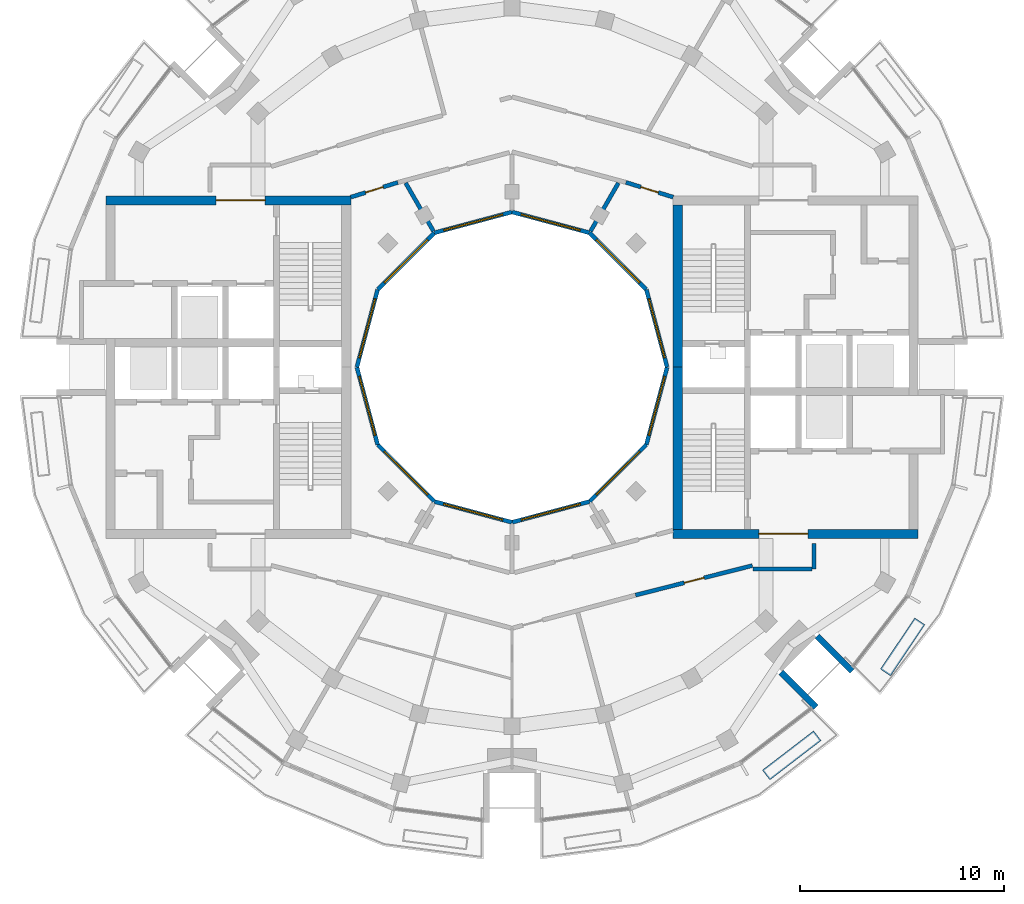
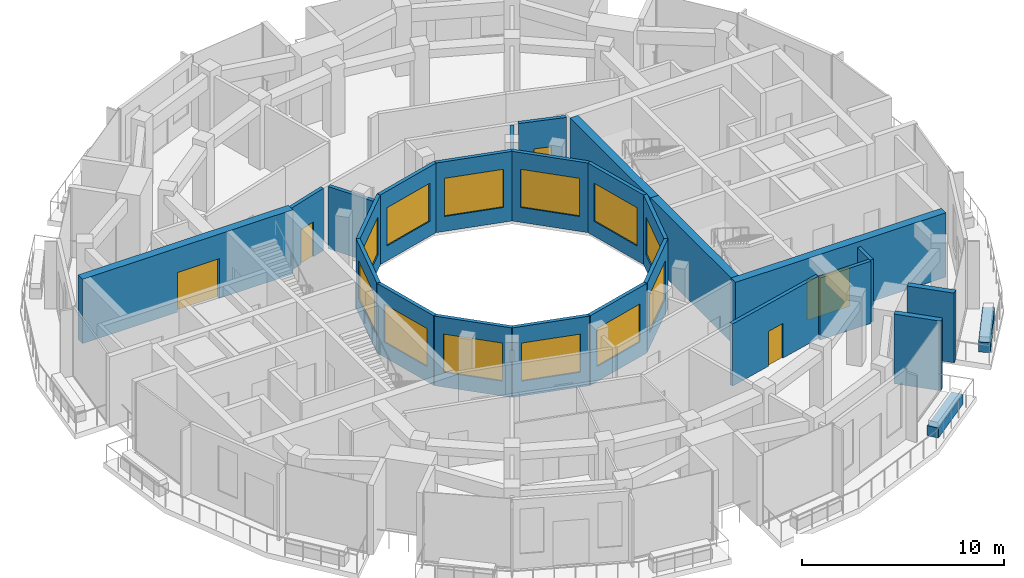
# One storey, part 10 of 16: 27 walls, 12 windows, 5 doors, 17 openings.
"""IFC4 building model written with IfcOpenShell, lengths in metres."""

from ifc_helpers import new_model, si_unit, direction, frame, frame_2d, origin, place, context, subcontext, project, spatial, rectangle, extrude, material, layer, layer_set, type_object, element, fill, save


model = new_model("IFC4")

# Units and contexts
model_context = context("Model", 3, precision=1e-05, world=origin(), true_north=direction((0.0, 1.0)))
body_context = subcontext(model_context, "Body", "Model", "MODEL_VIEW")
ifc_project = project(units=[si_unit("LENGTHUNIT", "METRE"), si_unit("AREAUNIT", "SQUARE_METRE"), si_unit("VOLUMEUNIT", "CUBIC_METRE"), si_unit("PLANEANGLEUNIT", "RADIAN"), si_unit("MASSUNIT", "GRAM", prefix="KILO")], contexts=[model_context])

# Site, building, storey
site_placement = place(None, origin())
site = spatial("IfcSite", under=ifc_project, at=site_placement, CompositionType="ELEMENT")
building_placement = place(site_placement, origin())
building = spatial("IfcBuilding", under=site, at=building_placement, Name="Torre Brocal", CompositionType="ELEMENT")
storey_placement = place(building_placement, frame((0.0, 0.0, 292.5)))
storey = spatial("IfcBuildingStorey", under=building, at=storey_placement, Name="L67", CompositionType="ELEMENT", Elevation=292.5)

# Wall, opening, door
ifc_material_1 = material(Name="Concrete C50", Category="concrete")
ifc_layer_1 = layer(ifc_material_1, 0.449951171875)
ifc_layer_set_1 = layer_set([ifc_layer_1], Name="Concrete C50")
wall_type_1 = type_object("IfcWallType", Name="CORE WALL 450 C50", PredefinedType="SHEAR", material=ifc_layer_set_1)
wall_1_placement = place(storey_placement, frame((87.89990234375, 66.824951171875, 0.0), z_axis=(0.0, 0.0, 1.0), x_axis=(1.0, 0.0, 0.0)))
wall_1 = element("IfcWall", 1, at=wall_1_placement, inside=storey, type_object=wall_type_1, Name="Wall CW450-50", PredefinedType="SHEAR", context=body_context, shape_type="SweptSolid", body=[
    extrude(rectangle(XDim=12.0, YDim=0.449951171875, at=frame_2d((6.0, 0.0))), origin(), (0.0, 0.0, 1.0), 3.8798828125),
])
opening_1_placement = place(wall_1_placement, frame((4.199951171875, 0.0, 0.0)))
opening_1 = element("IfcOpeningElement", 2, at=opening_1_placement, cuts=wall_1, Name="Opening E-D27", PredefinedType="OPENING", context=body_context, shape_type="SweptSolid", body=[
    extrude(rectangle(XDim=2.39990234375, YDim=2.39990234375, at=frame_2d((1.199951171875, 1.199951171875))), frame((0.0, 0.23486328125, 0.0), z_axis=(0.0, -1.0, 0.0), x_axis=(1.0, 0.0, 0.0)), (0.0, 0.0, 1.0), 0.469970703125),
])
ifc_material_2 = material(Name="Steel A653", Category="steel")
door_type_1 = type_object("IfcDoorType", Name="DOUBLE FIRE DOOR FD90 2400X2400", OperationType="DOUBLE_DOOR_SINGLE_SWING", PredefinedType="DOOR", material=ifc_material_2)
door_1_placement = place(opening_1_placement, origin())
door_1 = element("IfcDoor", 3, at=door_1_placement, inside=storey, type_object=door_type_1, Name="Door E-D27", OperationType="DOUBLE_DOOR_SINGLE_SWING", OverallHeight=2.39990234375, OverallWidth=2.39990234375, PredefinedType="DOOR", context=body_context, shape_type="SweptSolid", body=[
    extrude(rectangle(XDim=2.39990234375, YDim=2.39990234375, at=frame_2d((1.199951171875, 1.199951171875))), frame((0.0, 0.02490234375, 0.0), z_axis=(0.0, -1.0, 0.0), x_axis=(1.0, 0.0, 0.0)), (0.0, 0.0, 1.0), 0.050048828125),
])
fill(opening_1, door_1)

# Walls
for number, where, z_axis, x_axis, name in (
    (4, (88.125, 75.0, 0.0), (0.0, 0.0, 1.0), (0.0, 1.0, 0.0), "Wall CW450-50"),
    (5, (88.125, 67.050048828125, 0.0), (0.0, 0.0, 1.0), (0.0, 1.0, 0.0), "Wall CW450-50"),
):
    element("IfcWall", number, at=place(storey_placement, frame(where, z_axis=z_axis, x_axis=x_axis)), inside=storey, type_object=wall_type_1, Name=name, PredefinedType="SHEAR", context=body_context, shape_type="SweptSolid", body=[
        extrude(rectangle(XDim=7.949951171875, YDim=0.449951171875, at=frame_2d((3.97509765625, 0.0))), origin(), (0.0, 0.0, 1.0), 3.8798828125),
    ])

# Wall, opening, door
wall_2_placement = place(storey_placement, frame((72.10009765625, 83.175048828125, 0.0), z_axis=(0.0, 0.0, 1.0), x_axis=(-1.0, 0.0, 0.0)))
wall_2 = element("IfcWall", 6, at=wall_2_placement, inside=storey, type_object=wall_type_1, Name="Wall CW450-50", PredefinedType="SHEAR", context=body_context, shape_type="SweptSolid", body=[
    extrude(rectangle(XDim=12.0, YDim=0.449951171875, at=frame_2d((6.0, 0.0))), origin(), (0.0, 0.0, 1.0), 3.8798828125),
])
opening_2_placement = place(wall_2_placement, frame((4.199951171875, 0.0, 0.0)))
opening_2 = element("IfcOpeningElement", 7, at=opening_2_placement, cuts=wall_2, Name="Opening W-D27", PredefinedType="OPENING", context=body_context, shape_type="SweptSolid", body=[
    extrude(rectangle(XDim=2.39990234375, YDim=2.39990234375, at=frame_2d((1.199951171875, 1.199951171875))), frame((0.0, 0.23486328125, 0.0), z_axis=(0.0, -1.0, 0.0), x_axis=(1.0, 0.0, 0.0)), (0.0, 0.0, 1.0), 0.469970703125),
])
door_2_placement = place(opening_2_placement, origin())
door_2 = element("IfcDoor", 8, at=door_2_placement, inside=storey, type_object=door_type_1, Name="Door W-D27", OperationType="DOUBLE_DOOR_SINGLE_SWING", OverallHeight=2.39990234375, OverallWidth=2.39990234375, PredefinedType="DOOR", context=body_context, shape_type="SweptSolid", body=[
    extrude(rectangle(XDim=2.39990234375, YDim=2.39990234375, at=frame_2d((1.199951171875, 1.199951171875))), frame((0.0, 0.02490234375, 0.0), z_axis=(0.0, -1.0, 0.0), x_axis=(1.0, 0.0, 0.0)), (0.0, 0.0, 1.0), 0.050048828125),
])
fill(opening_2, door_2)

# Walls
ifc_material_3 = material(Name="Concrete C50", Category="concrete")
ifc_layer_2 = layer(ifc_material_3, 0.300048828125)
ifc_layer_set_2 = layer_set([ifc_layer_2], Name="Concrete C50")
wall_type_2 = type_object("IfcWallType", Name="NOTCH RETURN WALL 300 C50", PredefinedType="NOTDEFINED", material=ifc_layer_set_2)
for number, where, z_axis, x_axis, name in (
    (9, (93.1875, 60.044677734375, 0.0), (0.0, 0.0, 1.0), (0.707106781187, -0.707106781187, 0.0), "NOTCH RETURN WALL"),
    (10, (94.955322265625, 61.8125, 0.0), (0.0, 0.0, 1.0), (0.707106781187, -0.707106781187, 0.0), "NOTCH RETURN WALL"),
):
    element("IfcWall", number, at=place(storey_placement, frame(where, z_axis=z_axis, x_axis=x_axis)), inside=storey, type_object=wall_type_2, Name=name, PredefinedType="NOTDEFINED", context=body_context, shape_type="SweptSolid", body=[
        extrude(rectangle(XDim=2.415771484375, YDim=0.300048828125, at=frame_2d((1.2080078125, 0.0))), origin(), (0.0, 0.0, 1.0), 4.199951171875),
    ])

# Wall, opening, door
ifc_material_4 = material(Name="Gypsum board", Category="Gypsum")
ifc_layer_3 = layer(ifc_material_4, 0.199951171875)
ifc_layer_set_3 = layer_set([ifc_layer_3], Name="Gypsum board")
wall_type_3 = type_object("IfcWallType", Name="PARTITION 200 EI60", PredefinedType="PARTITIONING", material=ifc_layer_set_3)
wall_3_placement = place(storey_placement, frame((72.10009765625, 83.33203125, 0.0), z_axis=(0.0, 0.0, 1.0), x_axis=(0.954233106619, 0.299063836383, 0.0)))
wall_3 = element("IfcWall", 11, at=wall_3_placement, inside=storey, type_object=wall_type_3, Name="CORRIDOR WALL", PredefinedType="PARTITIONING", context=body_context, shape_type="SweptSolid", body=[
    extrude(rectangle(XDim=2.4140625, YDim=0.199951171875, at=frame_2d((1.20703125, 0.0))), origin(), (0.0, 0.0, 1.0), 3.75),
])
opening_3_placement = place(wall_3_placement, frame((0.761962890625, 0.0, 0.0)))
opening_3 = element("IfcOpeningElement", 12, at=opening_3_placement, cuts=wall_3, Name="Opening N03-D07", PredefinedType="OPENING", context=body_context, shape_type="SweptSolid", body=[
    extrude(rectangle(XDim=0.89990234375, YDim=2.10009765625, at=frame_2d((0.449951171875, 1.050048828125))), frame((0.0, 0.10986328125, 0.0), z_axis=(0.0, -1.0, 0.0), x_axis=(1.0, 0.0, 0.0)), (0.0, 0.0, 1.0), 0.219970703125),
])
ifc_material_5 = material(Name="Timber", Category="wood")
door_type_2 = type_object("IfcDoorType", Name="ROOM DOOR 900X2100", OperationType="SINGLE_SWING_LEFT", PredefinedType="DOOR", material=ifc_material_5)
door_3_placement = place(opening_3_placement, frame((0.89990234375, 0.0, 0.0), z_axis=(0.0, 0.0, 1.0), x_axis=(-1.0, 0.0, 0.0)))
door_3 = element("IfcDoor", 13, at=door_3_placement, inside=storey, type_object=door_type_2, Name="N03-D07", OperationType="SINGLE_SWING_RIGHT", OverallHeight=2.10009765625, OverallWidth=0.89990234375, PredefinedType="DOOR", context=body_context, shape_type="SweptSolid", body=[
    extrude(rectangle(XDim=0.89990234375, YDim=2.10009765625, at=frame_2d((0.449951171875, 1.050048828125))), frame((0.0, 0.02490234375, 0.0), z_axis=(0.0, -1.0, 0.0), x_axis=(1.0, 0.0, 0.0)), (0.0, 0.0, 1.0), 0.050048828125),
])
fill(opening_3, door_3)

# Walls
wall_4_placement = place(storey_placement, frame((74.787353515625, 84.027099609375, 0.0), z_axis=(0.0, 0.0, 1.0), x_axis=(0.500079107518, -0.86597972622, 0.0)))
element("IfcWall", 14, at=wall_4_placement, inside=storey, type_object=wall_type_3, Name="PARTY PARTITION", PredefinedType="PARTITIONING", context=body_context, shape_type="SweptSolid", body=[
    extrude(rectangle(XDim=2.7255859375, YDim=0.199951171875, at=frame_2d((1.36279296875, 0.0))), origin(), (0.0, 0.0, 1.0), 3.75),
])
wall_5_placement = place(storey_placement, frame((83.8505859375, 81.666015625, 0.0), z_axis=(0.0, 0.0, 1.0), x_axis=(0.500146274735, 0.865940935554, 0.0)))
element("IfcWall", 15, at=wall_5_placement, inside=storey, type_object=wall_type_3, Name="SERVICE ROOM WALL", PredefinedType="PARTITIONING", context=body_context, shape_type="SweptSolid", body=[
    extrude(rectangle(XDim=2.725830078125, YDim=0.199951171875, at=frame_2d((1.36279296875, 0.0))), origin(), (0.0, 0.0, 1.0), 3.75),
])

# Wall, opening, door
wall_6_placement = place(storey_placement, frame((85.5869140625, 84.056884765625, 0.0), z_axis=(0.0, 0.0, 1.0), x_axis=(0.954239513179, -0.299043393987, 0.0)))
wall_6 = element("IfcWall", 16, at=wall_6_placement, inside=storey, type_object=wall_type_3, Name="CORRIDOR WALL", PredefinedType="PARTITIONING", context=body_context, shape_type="SweptSolid", body=[
    extrude(rectangle(XDim=2.423828125, YDim=0.199951171875, at=frame_2d((1.2119140625, 0.0))), origin(), (0.0, 0.0, 1.0), 3.75),
])
opening_4_placement = place(wall_6_placement, frame((0.761962890625, 0.0, 0.0)))
opening_4 = element("IfcOpeningElement", 17, at=opening_4_placement, cuts=wall_6, Name="Opening N03-D04", PredefinedType="OPENING", context=body_context, shape_type="SweptSolid", body=[
    extrude(rectangle(XDim=0.89990234375, YDim=2.10009765625, at=frame_2d((0.449951171875, 1.050048828125))), frame((0.0, 0.10986328125, 0.0), z_axis=(0.0, -1.0, 0.0), x_axis=(1.0, 0.0, 0.0)), (0.0, 0.0, 1.0), 0.219970703125),
])
door_4_placement = place(opening_4_placement, frame((0.89990234375, 0.0, 0.0), z_axis=(0.0, 0.0, 1.0), x_axis=(-1.0, 0.0, 0.0)))
door_4 = element("IfcDoor", 18, at=door_4_placement, inside=storey, type_object=door_type_2, Name="N03-D04", OperationType="SINGLE_SWING_LEFT", OverallHeight=2.10009765625, OverallWidth=0.89990234375, PredefinedType="DOOR", context=body_context, shape_type="SweptSolid", body=[
    extrude(rectangle(XDim=0.89990234375, YDim=2.10009765625, at=frame_2d((0.449951171875, 1.050048828125))), frame((0.0, 0.02490234375, 0.0), z_axis=(0.0, -1.0, 0.0), x_axis=(1.0, 0.0, 0.0)), (0.0, 0.0, 1.0), 0.050048828125),
])
fill(opening_4, door_4)

wall_7_placement = place(storey_placement, frame((86.052978515625, 63.826171875, 0.0), z_axis=(0.0, 0.0, 1.0), x_axis=(0.969480070232, 0.245170131586, 0.0)))
wall_7 = element("IfcWall", 19, at=wall_7_placement, inside=storey, type_object=wall_type_3, Name="FLAT ENTRANCE WALL", PredefinedType="PARTITIONING", context=body_context, shape_type="SweptSolid", body=[
    extrude(rectangle(XDim=5.906982421875, YDim=0.199951171875, at=frame_2d((2.95361328125, 0.0))), origin(), (0.0, 0.0, 1.0), 3.75),
])
opening_5_placement = place(wall_7_placement, frame((2.464111328125, 0.0, 0.0)))
opening_5 = element("IfcOpeningElement", 20, at=opening_5_placement, cuts=wall_7, Name="Opening N03-D08", PredefinedType="OPENING", context=body_context, shape_type="SweptSolid", body=[
    extrude(rectangle(XDim=1.0, YDim=2.10009765625, at=frame_2d((0.5, 1.050048828125))), frame((0.0, 0.10986328125, 0.0), z_axis=(0.0, -1.0, 0.0), x_axis=(1.0, 0.0, 0.0)), (0.0, 0.0, 1.0), 0.219970703125),
])
ifc_material_6 = material(Name="Timber", Category="wood")
door_type_3 = type_object("IfcDoorType", Name="FLAT ENTRY DOOR FD30S 1000X2100", OperationType="SINGLE_SWING_RIGHT", PredefinedType="DOOR", material=ifc_material_6)
door_5_placement = place(opening_5_placement, frame((1.0, 0.0, 0.0), z_axis=(0.0, 0.0, 1.0), x_axis=(-1.0, 0.0, 0.0)))
door_5 = element("IfcDoor", 21, at=door_5_placement, inside=storey, type_object=door_type_3, Name="N03-D08", OperationType="SINGLE_SWING_LEFT", OverallHeight=2.10009765625, OverallWidth=1.0, PredefinedType="DOOR", context=body_context, shape_type="SweptSolid", body=[
    extrude(rectangle(XDim=1.0, YDim=2.10009765625, at=frame_2d((0.5, 1.050048828125))), frame((0.0, 0.02490234375, 0.0), z_axis=(0.0, -1.0, 0.0), x_axis=(1.0, 0.0, 0.0)), (0.0, 0.0, 1.0), 0.050048828125),
])
fill(opening_5, door_5)

# Walls
wall_8_placement = place(storey_placement, frame((91.800048828125, 65.10009765625, 0.0), z_axis=(0.0, 0.0, 1.0), x_axis=(1.0, 0.0, 0.0)))
element("IfcWall", 22, at=wall_8_placement, inside=storey, type_object=wall_type_3, Name="FLAT ENTRANCE WALL", PredefinedType="PARTITIONING", context=body_context, shape_type="SweptSolid", body=[
    extrude(rectangle(XDim=2.89990234375, YDim=0.199951171875, at=frame_2d((1.449951171875, 0.0))), origin(), (0.0, 0.0, 1.0), 3.75),
])
wall_9_placement = place(storey_placement, frame((94.800048828125, 65.10009765625, 0.0), z_axis=(0.0, 0.0, 1.0), x_axis=(0.0, 1.0, 0.0)))
element("IfcWall", 23, at=wall_9_placement, inside=storey, type_object=wall_type_3, Name="FLAT ENTRANCE WALL", PredefinedType="PARTITIONING", context=body_context, shape_type="SweptSolid", body=[
    extrude(rectangle(XDim=1.2490234375, YDim=0.199951171875, at=frame_2d((0.62451171875, 0.0))), origin(), (0.0, 0.0, 1.0), 3.75),
])
ifc_material_7 = material(Name="Concrete C35", Category="concrete")
ifc_layer_4 = layer(ifc_material_7, 0.60009765625)
ifc_layer_set_4 = layer_set([ifc_layer_4], Name="Concrete C35")
wall_type_4 = type_object("IfcWallType", Name="PLANTER WALL 600 THICK 600 HIGH", PredefinedType="USERDEFINED", material=ifc_layer_set_4)
wall_10_placement = place(storey_placement, frame((92.4560546875, 55.011962890625, 0.0), z_axis=(0.0, 0.0, 1.0), x_axis=(0.793350112932, 0.608765634962, 0.0)))
element("IfcWall", 24, at=wall_10_placement, inside=storey, type_object=wall_type_4, Name="PLANTER", ObjectType="PLANTER", PredefinedType="USERDEFINED", context=body_context, shape_type="SweptSolid", body=[
    extrude(rectangle(XDim=3.159912109375, YDim=0.60009765625, at=frame_2d((1.580078125, 0.0))), origin(), (0.0, 0.0, 1.0), 0.60009765625),
])
wall_11_placement = place(storey_placement, frame((98.30810546875, 60.037109375, 0.0), z_axis=(0.0, 0.0, 1.0), x_axis=(0.556696289076, 0.830716101763, 0.0)))
element("IfcWall", 25, at=wall_11_placement, inside=storey, type_object=wall_type_4, Name="PLANTER", ObjectType="PLANTER", PredefinedType="USERDEFINED", context=body_context, shape_type="SweptSolid", body=[
    extrude(rectangle(XDim=3.017578125, YDim=0.60009765625, at=frame_2d((1.5087890625, 0.0))), origin(), (0.0, 0.0, 1.0), 0.60009765625),
])

# Wall, opening, window
ifc_material_8 = material(Name="Concrete C40", Category="concrete")
ifc_layer_5 = layer(ifc_material_8, 0.199951171875)
ifc_layer_set_5 = layer_set([ifc_layer_5], Name="Concrete C40")
wall_type_5 = type_object("IfcWallType", Name="WELL FACADE WALL 200", PredefinedType="NOTDEFINED", material=ifc_layer_set_5)
wall_12_placement = place(storey_placement, frame((87.603515625, 75.0, 0.0), z_axis=(0.0, 0.0, 1.0), x_axis=(-0.258789828301, 0.965933654434, 0.0)))
wall_12 = element("IfcWall", 26, at=wall_12_placement, inside=storey, type_object=wall_type_5, Name="WELL FACADE WALL", PredefinedType="NOTDEFINED", context=body_context, shape_type="SweptSolid", body=[
    extrude(rectangle(XDim=3.935791015625, YDim=0.199951171875, at=frame_2d((1.9677734375, 0.0))), origin(), (0.0, 0.0, 1.0), 4.199951171875),
])
opening_6_placement = place(wall_12_placement, frame((0.468017578125, 0.0, 0.89990234375)))
opening_6 = element("IfcOpeningElement", 27, at=opening_6_placement, cuts=wall_12, Name="Opening W1", PredefinedType="OPENING", context=body_context, shape_type="SweptSolid", body=[
    extrude(rectangle(XDim=3.0, YDim=2.300048828125, at=frame_2d((1.5, 1.14990234375))), frame((0.0, 0.10986328125, 0.0), z_axis=(0.0, -1.0, 0.0), x_axis=(1.0, 0.0, 0.0)), (0.0, 0.0, 1.0), 0.219970703125),
])
ifc_material_9 = material(Name="Aluminium and glass", Category="aluminium")
window_type = type_object("IfcWindowType", Name="WELL WINDOW 3000X2300", PartitioningType="SINGLE_PANEL", PredefinedType="WINDOW", material=ifc_material_9)
window_1_placement = place(opening_6_placement, origin())
window_1 = element("IfcWindow", 28, at=window_1_placement, inside=storey, type_object=window_type, Name="WELL WINDOW 3000X2300", OverallHeight=2.300048828125, OverallWidth=3.0, PartitioningType="SINGLE_PANEL", PredefinedType="WINDOW", context=body_context, shape_type="SweptSolid", body=[
    extrude(rectangle(XDim=3.0, YDim=2.300048828125, at=frame_2d((1.5, 1.14990234375))), frame((0.0, 0.030029296875, 0.0), z_axis=(0.0, -1.0, 0.0), x_axis=(1.0, 0.0, 0.0)), (0.0, 0.0, 1.0), 0.06005859375),
])
fill(opening_6, window_1)

wall_13_placement = place(storey_placement, frame((86.5849609375, 78.8017578125, 0.0), z_axis=(0.0, 0.0, 1.0), x_axis=(-0.707106781187, 0.707106781187, 0.0)))
wall_13 = element("IfcWall", 29, at=wall_13_placement, inside=storey, type_object=wall_type_5, Name="WELL FACADE WALL", PredefinedType="NOTDEFINED", context=body_context, shape_type="SweptSolid", body=[
    extrude(rectangle(XDim=3.93603515625, YDim=0.199951171875, at=frame_2d((1.968017578125, 0.0))), origin(), (0.0, 0.0, 1.0), 4.199951171875),
])
opening_7_placement = place(wall_13_placement, frame((0.468017578125, 0.0, 0.89990234375)))
opening_7 = element("IfcOpeningElement", 30, at=opening_7_placement, cuts=wall_13, Name="Opening W1", PredefinedType="OPENING", context=body_context, shape_type="SweptSolid", body=[
    extrude(rectangle(XDim=3.0, YDim=2.300048828125, at=frame_2d((1.5, 1.14990234375))), frame((0.0, 0.10986328125, 0.0), z_axis=(0.0, -1.0, 0.0), x_axis=(1.0, 0.0, 0.0)), (0.0, 0.0, 1.0), 0.219970703125),
])
window_2_placement = place(opening_7_placement, origin())
window_2 = element("IfcWindow", 31, at=window_2_placement, inside=storey, type_object=window_type, Name="WELL WINDOW 3000X2300", OverallHeight=2.300048828125, OverallWidth=3.0, PartitioningType="SINGLE_PANEL", PredefinedType="WINDOW", context=body_context, shape_type="SweptSolid", body=[
    extrude(rectangle(XDim=3.0, YDim=2.300048828125, at=frame_2d((1.5, 1.14990234375))), frame((0.0, 0.030029296875, 0.0), z_axis=(0.0, -1.0, 0.0), x_axis=(1.0, 0.0, 0.0)), (0.0, 0.0, 1.0), 0.06005859375),
])
fill(opening_7, window_2)

wall_14_placement = place(storey_placement, frame((83.8017578125, 81.5849609375, 0.0), z_axis=(0.0, 0.0, 1.0), x_axis=(-0.965933654434, 0.258789828301, 0.0)))
wall_14 = element("IfcWall", 32, at=wall_14_placement, inside=storey, type_object=wall_type_5, Name="WELL FACADE WALL", PredefinedType="NOTDEFINED", context=body_context, shape_type="SweptSolid", body=[
    extrude(rectangle(XDim=3.935791015625, YDim=0.199951171875, at=frame_2d((1.9677734375, 0.0))), origin(), (0.0, 0.0, 1.0), 4.199951171875),
])
opening_8_placement = place(wall_14_placement, frame((0.468017578125, 0.0, 0.89990234375)))
opening_8 = element("IfcOpeningElement", 33, at=opening_8_placement, cuts=wall_14, Name="Opening W1", PredefinedType="OPENING", context=body_context, shape_type="SweptSolid", body=[
    extrude(rectangle(XDim=3.0, YDim=2.300048828125, at=frame_2d((1.5, 1.14990234375))), frame((0.0, 0.10986328125, 0.0), z_axis=(0.0, -1.0, 0.0), x_axis=(1.0, 0.0, 0.0)), (0.0, 0.0, 1.0), 0.219970703125),
])
window_3_placement = place(opening_8_placement, origin())
window_3 = element("IfcWindow", 34, at=window_3_placement, inside=storey, type_object=window_type, Name="WELL WINDOW 3000X2300", OverallHeight=2.300048828125, OverallWidth=3.0, PartitioningType="SINGLE_PANEL", PredefinedType="WINDOW", context=body_context, shape_type="SweptSolid", body=[
    extrude(rectangle(XDim=3.0, YDim=2.300048828125, at=frame_2d((1.5, 1.14990234375))), frame((0.0, 0.030029296875, 0.0), z_axis=(0.0, -1.0, 0.0), x_axis=(1.0, 0.0, 0.0)), (0.0, 0.0, 1.0), 0.06005859375),
])
fill(opening_8, window_3)

wall_15_placement = place(storey_placement, frame((80.0, 82.603515625, 0.0), z_axis=(0.0, 0.0, 1.0), x_axis=(-0.965933654434, -0.258789828301, 0.0)))
wall_15 = element("IfcWall", 35, at=wall_15_placement, inside=storey, type_object=wall_type_5, Name="WELL FACADE WALL", PredefinedType="NOTDEFINED", context=body_context, shape_type="SweptSolid", body=[
    extrude(rectangle(XDim=3.935791015625, YDim=0.199951171875, at=frame_2d((1.9677734375, 0.0))), origin(), (0.0, 0.0, 1.0), 4.199951171875),
])
opening_9_placement = place(wall_15_placement, frame((0.468017578125, 0.0, 0.89990234375)))
opening_9 = element("IfcOpeningElement", 36, at=opening_9_placement, cuts=wall_15, Name="Opening W1", PredefinedType="OPENING", context=body_context, shape_type="SweptSolid", body=[
    extrude(rectangle(XDim=3.0, YDim=2.300048828125, at=frame_2d((1.5, 1.14990234375))), frame((0.0, 0.10986328125, 0.0), z_axis=(0.0, -1.0, 0.0), x_axis=(1.0, 0.0, 0.0)), (0.0, 0.0, 1.0), 0.219970703125),
])
window_4_placement = place(opening_9_placement, origin())
window_4 = element("IfcWindow", 37, at=window_4_placement, inside=storey, type_object=window_type, Name="WELL WINDOW 3000X2300", OverallHeight=2.300048828125, OverallWidth=3.0, PartitioningType="SINGLE_PANEL", PredefinedType="WINDOW", context=body_context, shape_type="SweptSolid", body=[
    extrude(rectangle(XDim=3.0, YDim=2.300048828125, at=frame_2d((1.5, 1.14990234375))), frame((0.0, 0.030029296875, 0.0), z_axis=(0.0, -1.0, 0.0), x_axis=(1.0, 0.0, 0.0)), (0.0, 0.0, 1.0), 0.06005859375),
])
fill(opening_9, window_4)

wall_16_placement = place(storey_placement, frame((76.1982421875, 81.5849609375, 0.0), z_axis=(0.0, 0.0, 1.0), x_axis=(-0.707106781187, -0.707106781187, 0.0)))
wall_16 = element("IfcWall", 38, at=wall_16_placement, inside=storey, type_object=wall_type_5, Name="WELL FACADE WALL", PredefinedType="NOTDEFINED", context=body_context, shape_type="SweptSolid", body=[
    extrude(rectangle(XDim=3.93603515625, YDim=0.199951171875, at=frame_2d((1.968017578125, 0.0))), origin(), (0.0, 0.0, 1.0), 4.199951171875),
])
opening_10_placement = place(wall_16_placement, frame((0.468017578125, 0.0, 0.89990234375)))
opening_10 = element("IfcOpeningElement", 39, at=opening_10_placement, cuts=wall_16, Name="Opening W1", PredefinedType="OPENING", context=body_context, shape_type="SweptSolid", body=[
    extrude(rectangle(XDim=3.0, YDim=2.300048828125, at=frame_2d((1.5, 1.14990234375))), frame((0.0, 0.10986328125, 0.0), z_axis=(0.0, -1.0, 0.0), x_axis=(1.0, 0.0, 0.0)), (0.0, 0.0, 1.0), 0.219970703125),
])
window_5_placement = place(opening_10_placement, origin())
window_5 = element("IfcWindow", 40, at=window_5_placement, inside=storey, type_object=window_type, Name="WELL WINDOW 3000X2300", OverallHeight=2.300048828125, OverallWidth=3.0, PartitioningType="SINGLE_PANEL", PredefinedType="WINDOW", context=body_context, shape_type="SweptSolid", body=[
    extrude(rectangle(XDim=3.0, YDim=2.300048828125, at=frame_2d((1.5, 1.14990234375))), frame((0.0, 0.030029296875, 0.0), z_axis=(0.0, -1.0, 0.0), x_axis=(1.0, 0.0, 0.0)), (0.0, 0.0, 1.0), 0.06005859375),
])
fill(opening_10, window_5)

wall_17_placement = place(storey_placement, frame((73.4150390625, 78.8017578125, 0.0), z_axis=(0.0, 0.0, 1.0), x_axis=(-0.258789828301, -0.965933654434, 0.0)))
wall_17 = element("IfcWall", 41, at=wall_17_placement, inside=storey, type_object=wall_type_5, Name="WELL FACADE WALL", PredefinedType="NOTDEFINED", context=body_context, shape_type="SweptSolid", body=[
    extrude(rectangle(XDim=3.935791015625, YDim=0.199951171875, at=frame_2d((1.9677734375, 0.0))), origin(), (0.0, 0.0, 1.0), 4.199951171875),
])
opening_11_placement = place(wall_17_placement, frame((0.468017578125, 0.0, 0.89990234375)))
opening_11 = element("IfcOpeningElement", 42, at=opening_11_placement, cuts=wall_17, Name="Opening W1", PredefinedType="OPENING", context=body_context, shape_type="SweptSolid", body=[
    extrude(rectangle(XDim=3.0, YDim=2.300048828125, at=frame_2d((1.5, 1.14990234375))), frame((0.0, 0.10986328125, 0.0), z_axis=(0.0, -1.0, 0.0), x_axis=(1.0, 0.0, 0.0)), (0.0, 0.0, 1.0), 0.219970703125),
])
window_6_placement = place(opening_11_placement, origin())
window_6 = element("IfcWindow", 43, at=window_6_placement, inside=storey, type_object=window_type, Name="WELL WINDOW 3000X2300", OverallHeight=2.300048828125, OverallWidth=3.0, PartitioningType="SINGLE_PANEL", PredefinedType="WINDOW", context=body_context, shape_type="SweptSolid", body=[
    extrude(rectangle(XDim=3.0, YDim=2.300048828125, at=frame_2d((1.5, 1.14990234375))), frame((0.0, 0.030029296875, 0.0), z_axis=(0.0, -1.0, 0.0), x_axis=(1.0, 0.0, 0.0)), (0.0, 0.0, 1.0), 0.06005859375),
])
fill(opening_11, window_6)

wall_18_placement = place(storey_placement, frame((72.396484375, 75.0, 0.0), z_axis=(0.0, 0.0, 1.0), x_axis=(0.258789828301, -0.965933654434, 0.0)))
wall_18 = element("IfcWall", 44, at=wall_18_placement, inside=storey, type_object=wall_type_5, Name="WELL FACADE WALL", PredefinedType="NOTDEFINED", context=body_context, shape_type="SweptSolid", body=[
    extrude(rectangle(XDim=3.935791015625, YDim=0.199951171875, at=frame_2d((1.9677734375, 0.0))), origin(), (0.0, 0.0, 1.0), 4.199951171875),
])
opening_12_placement = place(wall_18_placement, frame((0.468017578125, 0.0, 0.89990234375)))
opening_12 = element("IfcOpeningElement", 45, at=opening_12_placement, cuts=wall_18, Name="Opening W1", PredefinedType="OPENING", context=body_context, shape_type="SweptSolid", body=[
    extrude(rectangle(XDim=3.0, YDim=2.300048828125, at=frame_2d((1.5, 1.14990234375))), frame((0.0, 0.10986328125, 0.0), z_axis=(0.0, -1.0, 0.0), x_axis=(1.0, 0.0, 0.0)), (0.0, 0.0, 1.0), 0.219970703125),
])
window_7_placement = place(opening_12_placement, origin())
window_7 = element("IfcWindow", 46, at=window_7_placement, inside=storey, type_object=window_type, Name="WELL WINDOW 3000X2300", OverallHeight=2.300048828125, OverallWidth=3.0, PartitioningType="SINGLE_PANEL", PredefinedType="WINDOW", context=body_context, shape_type="SweptSolid", body=[
    extrude(rectangle(XDim=3.0, YDim=2.300048828125, at=frame_2d((1.5, 1.14990234375))), frame((0.0, 0.030029296875, 0.0), z_axis=(0.0, -1.0, 0.0), x_axis=(1.0, 0.0, 0.0)), (0.0, 0.0, 1.0), 0.06005859375),
])
fill(opening_12, window_7)

wall_19_placement = place(storey_placement, frame((73.4150390625, 71.1982421875, 0.0), z_axis=(0.0, 0.0, 1.0), x_axis=(0.707106781187, -0.707106781187, 0.0)))
wall_19 = element("IfcWall", 47, at=wall_19_placement, inside=storey, type_object=wall_type_5, Name="WELL FACADE WALL", PredefinedType="NOTDEFINED", context=body_context, shape_type="SweptSolid", body=[
    extrude(rectangle(XDim=3.93603515625, YDim=0.199951171875, at=frame_2d((1.968017578125, 0.0))), origin(), (0.0, 0.0, 1.0), 4.199951171875),
])
opening_13_placement = place(wall_19_placement, frame((0.468017578125, 0.0, 0.89990234375)))
opening_13 = element("IfcOpeningElement", 48, at=opening_13_placement, cuts=wall_19, Name="Opening W1", PredefinedType="OPENING", context=body_context, shape_type="SweptSolid", body=[
    extrude(rectangle(XDim=3.0, YDim=2.300048828125, at=frame_2d((1.5, 1.14990234375))), frame((0.0, 0.10986328125, 0.0), z_axis=(0.0, -1.0, 0.0), x_axis=(1.0, 0.0, 0.0)), (0.0, 0.0, 1.0), 0.219970703125),
])
window_8_placement = place(opening_13_placement, origin())
window_8 = element("IfcWindow", 49, at=window_8_placement, inside=storey, type_object=window_type, Name="WELL WINDOW 3000X2300", OverallHeight=2.300048828125, OverallWidth=3.0, PartitioningType="SINGLE_PANEL", PredefinedType="WINDOW", context=body_context, shape_type="SweptSolid", body=[
    extrude(rectangle(XDim=3.0, YDim=2.300048828125, at=frame_2d((1.5, 1.14990234375))), frame((0.0, 0.030029296875, 0.0), z_axis=(0.0, -1.0, 0.0), x_axis=(1.0, 0.0, 0.0)), (0.0, 0.0, 1.0), 0.06005859375),
])
fill(opening_13, window_8)

wall_20_placement = place(storey_placement, frame((76.1982421875, 68.4150390625, 0.0), z_axis=(0.0, 0.0, 1.0), x_axis=(0.965933654434, -0.258789828301, 0.0)))
wall_20 = element("IfcWall", 50, at=wall_20_placement, inside=storey, type_object=wall_type_5, Name="WELL FACADE WALL", PredefinedType="NOTDEFINED", context=body_context, shape_type="SweptSolid", body=[
    extrude(rectangle(XDim=3.935791015625, YDim=0.199951171875, at=frame_2d((1.9677734375, 0.0))), origin(), (0.0, 0.0, 1.0), 4.199951171875),
])
opening_14_placement = place(wall_20_placement, frame((0.468017578125, 0.0, 0.89990234375)))
opening_14 = element("IfcOpeningElement", 51, at=opening_14_placement, cuts=wall_20, Name="Opening W1", PredefinedType="OPENING", context=body_context, shape_type="SweptSolid", body=[
    extrude(rectangle(XDim=3.0, YDim=2.300048828125, at=frame_2d((1.5, 1.14990234375))), frame((0.0, 0.10986328125, 0.0), z_axis=(0.0, -1.0, 0.0), x_axis=(1.0, 0.0, 0.0)), (0.0, 0.0, 1.0), 0.219970703125),
])
window_9_placement = place(opening_14_placement, origin())
window_9 = element("IfcWindow", 52, at=window_9_placement, inside=storey, type_object=window_type, Name="WELL WINDOW 3000X2300", OverallHeight=2.300048828125, OverallWidth=3.0, PartitioningType="SINGLE_PANEL", PredefinedType="WINDOW", context=body_context, shape_type="SweptSolid", body=[
    extrude(rectangle(XDim=3.0, YDim=2.300048828125, at=frame_2d((1.5, 1.14990234375))), frame((0.0, 0.030029296875, 0.0), z_axis=(0.0, -1.0, 0.0), x_axis=(1.0, 0.0, 0.0)), (0.0, 0.0, 1.0), 0.06005859375),
])
fill(opening_14, window_9)

wall_21_placement = place(storey_placement, frame((80.0, 67.396484375, 0.0), z_axis=(0.0, 0.0, 1.0), x_axis=(0.965933654434, 0.258789828301, 0.0)))
wall_21 = element("IfcWall", 53, at=wall_21_placement, inside=storey, type_object=wall_type_5, Name="WELL FACADE WALL", PredefinedType="NOTDEFINED", context=body_context, shape_type="SweptSolid", body=[
    extrude(rectangle(XDim=3.935791015625, YDim=0.199951171875, at=frame_2d((1.9677734375, 0.0))), origin(), (0.0, 0.0, 1.0), 4.199951171875),
])
opening_15_placement = place(wall_21_placement, frame((0.468017578125, 0.0, 0.89990234375)))
opening_15 = element("IfcOpeningElement", 54, at=opening_15_placement, cuts=wall_21, Name="Opening W1", PredefinedType="OPENING", context=body_context, shape_type="SweptSolid", body=[
    extrude(rectangle(XDim=3.0, YDim=2.300048828125, at=frame_2d((1.5, 1.14990234375))), frame((0.0, 0.10986328125, 0.0), z_axis=(0.0, -1.0, 0.0), x_axis=(1.0, 0.0, 0.0)), (0.0, 0.0, 1.0), 0.219970703125),
])
window_10_placement = place(opening_15_placement, origin())
window_10 = element("IfcWindow", 55, at=window_10_placement, inside=storey, type_object=window_type, Name="WELL WINDOW 3000X2300", OverallHeight=2.300048828125, OverallWidth=3.0, PartitioningType="SINGLE_PANEL", PredefinedType="WINDOW", context=body_context, shape_type="SweptSolid", body=[
    extrude(rectangle(XDim=3.0, YDim=2.300048828125, at=frame_2d((1.5, 1.14990234375))), frame((0.0, 0.030029296875, 0.0), z_axis=(0.0, -1.0, 0.0), x_axis=(1.0, 0.0, 0.0)), (0.0, 0.0, 1.0), 0.06005859375),
])
fill(opening_15, window_10)

wall_22_placement = place(storey_placement, frame((83.8017578125, 68.4150390625, 0.0), z_axis=(0.0, 0.0, 1.0), x_axis=(0.707106781187, 0.707106781187, 0.0)))
wall_22 = element("IfcWall", 56, at=wall_22_placement, inside=storey, type_object=wall_type_5, Name="WELL FACADE WALL", PredefinedType="NOTDEFINED", context=body_context, shape_type="SweptSolid", body=[
    extrude(rectangle(XDim=3.93603515625, YDim=0.199951171875, at=frame_2d((1.968017578125, 0.0))), origin(), (0.0, 0.0, 1.0), 4.199951171875),
])
opening_16_placement = place(wall_22_placement, frame((0.468017578125, 0.0, 0.89990234375)))
opening_16 = element("IfcOpeningElement", 57, at=opening_16_placement, cuts=wall_22, Name="Opening W1", PredefinedType="OPENING", context=body_context, shape_type="SweptSolid", body=[
    extrude(rectangle(XDim=3.0, YDim=2.300048828125, at=frame_2d((1.5, 1.14990234375))), frame((0.0, 0.10986328125, 0.0), z_axis=(0.0, -1.0, 0.0), x_axis=(1.0, 0.0, 0.0)), (0.0, 0.0, 1.0), 0.219970703125),
])
window_11_placement = place(opening_16_placement, origin())
window_11 = element("IfcWindow", 58, at=window_11_placement, inside=storey, type_object=window_type, Name="WELL WINDOW 3000X2300", OverallHeight=2.300048828125, OverallWidth=3.0, PartitioningType="SINGLE_PANEL", PredefinedType="WINDOW", context=body_context, shape_type="SweptSolid", body=[
    extrude(rectangle(XDim=3.0, YDim=2.300048828125, at=frame_2d((1.5, 1.14990234375))), frame((0.0, 0.030029296875, 0.0), z_axis=(0.0, -1.0, 0.0), x_axis=(1.0, 0.0, 0.0)), (0.0, 0.0, 1.0), 0.06005859375),
])
fill(opening_16, window_11)

wall_23_placement = place(storey_placement, frame((86.5849609375, 71.1982421875, 0.0), z_axis=(0.0, 0.0, 1.0), x_axis=(0.258789828301, 0.965933654434, 0.0)))
wall_23 = element("IfcWall", 59, at=wall_23_placement, inside=storey, type_object=wall_type_5, Name="WELL FACADE WALL", PredefinedType="NOTDEFINED", context=body_context, shape_type="SweptSolid", body=[
    extrude(rectangle(XDim=3.935791015625, YDim=0.199951171875, at=frame_2d((1.9677734375, 0.0))), origin(), (0.0, 0.0, 1.0), 4.199951171875),
])
opening_17_placement = place(wall_23_placement, frame((0.468017578125, 0.0, 0.89990234375)))
opening_17 = element("IfcOpeningElement", 60, at=opening_17_placement, cuts=wall_23, Name="Opening W1", PredefinedType="OPENING", context=body_context, shape_type="SweptSolid", body=[
    extrude(rectangle(XDim=3.0, YDim=2.300048828125, at=frame_2d((1.5, 1.14990234375))), frame((0.0, 0.10986328125, 0.0), z_axis=(0.0, -1.0, 0.0), x_axis=(1.0, 0.0, 0.0)), (0.0, 0.0, 1.0), 0.219970703125),
])
window_12_placement = place(opening_17_placement, origin())
window_12 = element("IfcWindow", 61, at=window_12_placement, inside=storey, type_object=window_type, Name="WELL WINDOW 3000X2300", OverallHeight=2.300048828125, OverallWidth=3.0, PartitioningType="SINGLE_PANEL", PredefinedType="WINDOW", context=body_context, shape_type="SweptSolid", body=[
    extrude(rectangle(XDim=3.0, YDim=2.300048828125, at=frame_2d((1.5, 1.14990234375))), frame((0.0, 0.030029296875, 0.0), z_axis=(0.0, -1.0, 0.0), x_axis=(1.0, 0.0, 0.0)), (0.0, 0.0, 1.0), 0.06005859375),
])
fill(opening_17, window_12)

save(model, "model.ifc")
